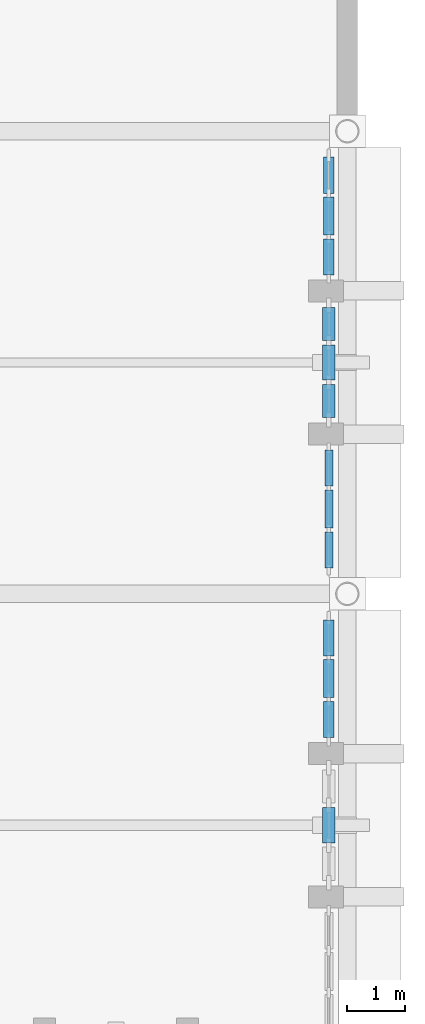
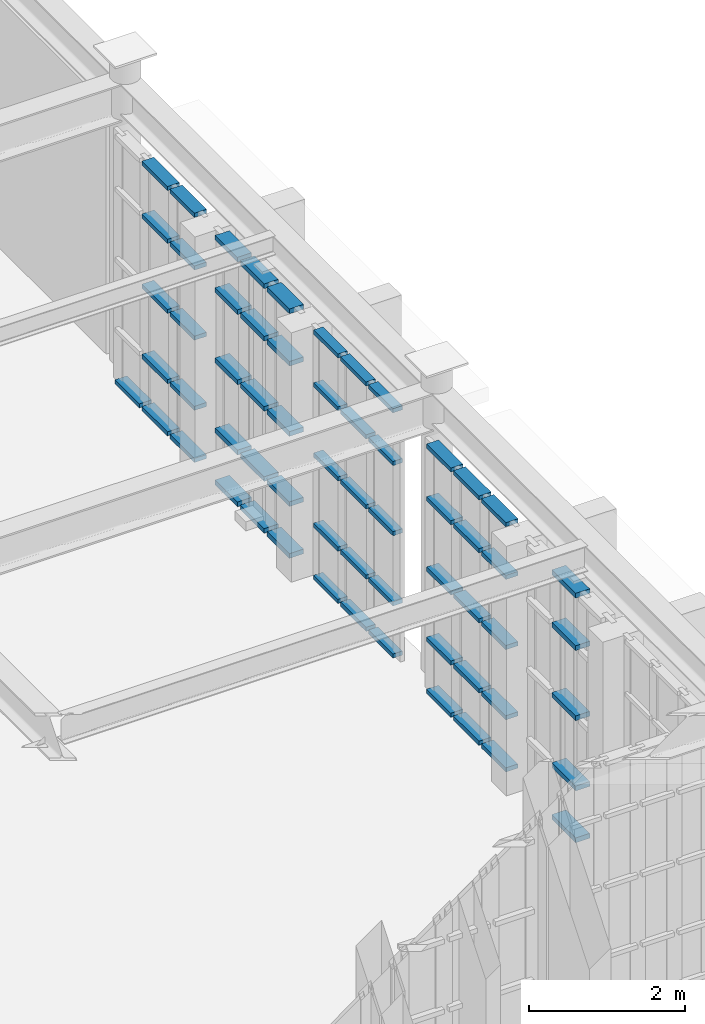
# One storey, part 78 of 155: 61 members, 5 elements without a shape of their own.
"""IFC4 building model written with IfcOpenShell, lengths in metres."""

from ifc_helpers import new_model, si_unit, direction, frame, origin, origin_2d, place, context, subcontext, project, spatial, rectangle, extrude, material, layer, layer_set, material_profile, profile_set, type_object, element, aggregate, save


model = new_model("IFC4")

# Units and contexts
model_context = context("Model", 3, precision=1e-05, world=origin(), true_north=direction((0.0, 1.0)))
body_context = subcontext(model_context, "Body", "Model", "MODEL_VIEW")
ifc_project = project(units=[si_unit("LENGTHUNIT", "METRE"), si_unit("AREAUNIT", "SQUARE_METRE"), si_unit("VOLUMEUNIT", "CUBIC_METRE"), si_unit("PLANEANGLEUNIT", "RADIAN"), si_unit("MASSUNIT", "GRAM", prefix="KILO")], contexts=[model_context])

# Site, building, storey
site_placement = place(None, origin())
site = spatial("IfcSite", under=ifc_project, at=site_placement, CompositionType="ELEMENT")
building_placement = place(site_placement, origin())
building = spatial("IfcBuilding", under=site, at=building_placement, Name="Tazarka Park Arena", CompositionType="ELEMENT")
storey_placement = place(building_placement, frame((0.0, 0.0, 5.39990234375)))
storey = spatial("IfcBuildingStorey", under=building, at=storey_placement, Name="L01", CompositionType="ELEMENT", Elevation=5.39990234375)

# Curtain wall, members
ifc_material_1 = material(Name="Aluminium and low-e glass", Category="aluminium")
ifc_layer_1 = layer(ifc_material_1, 0.179931640625, Name="Aluminium and low-e glass")
ifc_layer_set_1 = layer_set([ifc_layer_1], Name="Aluminium and low-e glass")
curtain_wall_type_1 = type_object("IfcCurtainWallType", Name="CW-09", PredefinedType="NOTDEFINED", material=ifc_layer_set_1)
curtain_wall_1_placement = place(storey_placement, origin())
curtain_wall_1 = element("IfcCurtainWall", 1, at=curtain_wall_1_placement, inside=storey, type_object=curtain_wall_type_1, Name="Curtain Wall CWA-L01-189", PredefinedType="NOTDEFINED")
ifc_material_2 = material(Name="Aluminium 6060-T66", Category="aluminium")
ifc_material_profile_1 = material_profile(ifc_material_2, rectangle(XDim=0.139892578125, YDim=0.06494140625, at=origin_2d()), Name="Aluminium 6060-T66")
ifc_profile_set_1 = profile_set([ifc_material_profile_1], Name="Aluminium 6060-T66")
member_type_1 = type_object("IfcMemberType", Name="CWT-01", PredefinedType="USERDEFINED", material=ifc_profile_set_1)
member_1_placement = place(storey_placement, frame((183.679931640625, 50.486083984375, 0.03271484375), z_axis=(0.0, -1.0, 0.0), x_axis=(1.0, 0.0, 0.0)))
member_1 = element("IfcMember", 2, at=member_1_placement, type_object=member_type_1, Name="CW-09 transom 1.1", ObjectType="TRANSOM", PredefinedType="USERDEFINED", context=body_context, shape_type="SweptSolid", body=[
    extrude(rectangle(XDim=0.139892578125, YDim=0.06494140625, at=origin_2d()), origin(), (0.0, 0.0, 1.0), 0.625),
])
member_2_placement = place(storey_placement, frame((183.679931640625, 50.486083984375, 0.85009765625), z_axis=(0.0, -1.0, 0.0), x_axis=(1.0, 0.0, 0.0)))
member_2 = element("IfcMember", 3, at=member_2_placement, type_object=member_type_1, Name="CW-09 transom 1.2", ObjectType="TRANSOM", PredefinedType="USERDEFINED", context=body_context, shape_type="SweptSolid", body=[
    extrude(rectangle(XDim=0.139892578125, YDim=0.06494140625, at=origin_2d()), origin(), (0.0, 0.0, 1.0), 0.625),
])
member_3_placement = place(storey_placement, frame((183.679931640625, 50.486083984375, 1.9501953125), z_axis=(0.0, -1.0, 0.0), x_axis=(1.0, 0.0, 0.0)))
member_3 = element("IfcMember", 4, at=member_3_placement, type_object=member_type_1, Name="CW-09 transom 1.3", ObjectType="TRANSOM", PredefinedType="USERDEFINED", context=body_context, shape_type="SweptSolid", body=[
    extrude(rectangle(XDim=0.139892578125, YDim=0.06494140625, at=origin_2d()), origin(), (0.0, 0.0, 1.0), 0.625),
])
member_4_placement = place(storey_placement, frame((183.679931640625, 50.486083984375, 3.050048828125), z_axis=(0.0, -1.0, 0.0), x_axis=(1.0, 0.0, 0.0)))
member_4 = element("IfcMember", 5, at=member_4_placement, type_object=member_type_1, Name="CW-09 transom 1.4", ObjectType="TRANSOM", PredefinedType="USERDEFINED", context=body_context, shape_type="SweptSolid", body=[
    extrude(rectangle(XDim=0.139892578125, YDim=0.06494140625, at=origin_2d()), origin(), (0.0, 0.0, 1.0), 0.625),
])
member_5_placement = place(storey_placement, frame((183.679931640625, 50.486083984375, 3.877685546875), z_axis=(0.0, -1.0, 0.0), x_axis=(1.0, 0.0, 0.0)))
member_5 = element("IfcMember", 6, at=member_5_placement, type_object=member_type_1, Name="CW-09 transom 1.5", ObjectType="TRANSOM", PredefinedType="USERDEFINED", context=body_context, shape_type="SweptSolid", body=[
    extrude(rectangle(XDim=0.139892578125, YDim=0.06494140625, at=origin_2d()), origin(), (0.0, 0.0, 1.0), 0.625),
])
member_6_placement = place(storey_placement, frame((183.679931640625, 49.7958984375, 0.03271484375), z_axis=(0.0, -1.0, 0.0), x_axis=(1.0, 0.0, 0.0)))
member_6 = element("IfcMember", 7, at=member_6_placement, type_object=member_type_1, Name="CW-09 transom 2.1", ObjectType="TRANSOM", PredefinedType="USERDEFINED", context=body_context, shape_type="SweptSolid", body=[
    extrude(rectangle(XDim=0.139892578125, YDim=0.06494140625, at=origin_2d()), origin(), (0.0, 0.0, 1.0), 0.657470703125),
])
member_7_placement = place(storey_placement, frame((183.679931640625, 49.7958984375, 0.85009765625), z_axis=(0.0, -1.0, 0.0), x_axis=(1.0, 0.0, 0.0)))
member_7 = element("IfcMember", 8, at=member_7_placement, type_object=member_type_1, Name="CW-09 transom 2.2", ObjectType="TRANSOM", PredefinedType="USERDEFINED", context=body_context, shape_type="SweptSolid", body=[
    extrude(rectangle(XDim=0.139892578125, YDim=0.06494140625, at=origin_2d()), origin(), (0.0, 0.0, 1.0), 0.657470703125),
])
member_8_placement = place(storey_placement, frame((183.679931640625, 49.7958984375, 1.9501953125), z_axis=(0.0, -1.0, 0.0), x_axis=(1.0, 0.0, 0.0)))
member_8 = element("IfcMember", 9, at=member_8_placement, type_object=member_type_1, Name="CW-09 transom 2.3", ObjectType="TRANSOM", PredefinedType="USERDEFINED", context=body_context, shape_type="SweptSolid", body=[
    extrude(rectangle(XDim=0.139892578125, YDim=0.06494140625, at=origin_2d()), origin(), (0.0, 0.0, 1.0), 0.657470703125),
])
member_9_placement = place(storey_placement, frame((183.679931640625, 49.7958984375, 3.050048828125), z_axis=(0.0, -1.0, 0.0), x_axis=(1.0, 0.0, 0.0)))
member_9 = element("IfcMember", 10, at=member_9_placement, type_object=member_type_1, Name="CW-09 transom 2.4", ObjectType="TRANSOM", PredefinedType="USERDEFINED", context=body_context, shape_type="SweptSolid", body=[
    extrude(rectangle(XDim=0.139892578125, YDim=0.06494140625, at=origin_2d()), origin(), (0.0, 0.0, 1.0), 0.657470703125),
])
member_10_placement = place(storey_placement, frame((183.679931640625, 49.7958984375, 3.877685546875), z_axis=(0.0, -1.0, 0.0), x_axis=(1.0, 0.0, 0.0)))
member_10 = element("IfcMember", 11, at=member_10_placement, type_object=member_type_1, Name="CW-09 transom 2.5", ObjectType="TRANSOM", PredefinedType="USERDEFINED", context=body_context, shape_type="SweptSolid", body=[
    extrude(rectangle(XDim=0.139892578125, YDim=0.06494140625, at=origin_2d()), origin(), (0.0, 0.0, 1.0), 0.657470703125),
])
member_11_placement = place(storey_placement, frame((183.679931640625, 49.0732421875, 0.03271484375), z_axis=(0.0, -1.0, 0.0), x_axis=(1.0, 0.0, 0.0)))
member_11 = element("IfcMember", 12, at=member_11_placement, type_object=member_type_1, Name="CW-09 transom 3.1", ObjectType="TRANSOM", PredefinedType="USERDEFINED", context=body_context, shape_type="SweptSolid", body=[
    extrude(rectangle(XDim=0.139892578125, YDim=0.06494140625, at=origin_2d()), origin(), (0.0, 0.0, 1.0), 0.625),
])
member_12_placement = place(storey_placement, frame((183.679931640625, 49.0732421875, 0.85009765625), z_axis=(0.0, -1.0, 0.0), x_axis=(1.0, 0.0, 0.0)))
member_12 = element("IfcMember", 13, at=member_12_placement, type_object=member_type_1, Name="CW-09 transom 3.2", ObjectType="TRANSOM", PredefinedType="USERDEFINED", context=body_context, shape_type="SweptSolid", body=[
    extrude(rectangle(XDim=0.139892578125, YDim=0.06494140625, at=origin_2d()), origin(), (0.0, 0.0, 1.0), 0.625),
])
member_13_placement = place(storey_placement, frame((183.679931640625, 49.0732421875, 1.9501953125), z_axis=(0.0, -1.0, 0.0), x_axis=(1.0, 0.0, 0.0)))
member_13 = element("IfcMember", 14, at=member_13_placement, type_object=member_type_1, Name="CW-09 transom 3.3", ObjectType="TRANSOM", PredefinedType="USERDEFINED", context=body_context, shape_type="SweptSolid", body=[
    extrude(rectangle(XDim=0.139892578125, YDim=0.06494140625, at=origin_2d()), origin(), (0.0, 0.0, 1.0), 0.625),
])
member_14_placement = place(storey_placement, frame((183.679931640625, 49.0732421875, 3.050048828125), z_axis=(0.0, -1.0, 0.0), x_axis=(1.0, 0.0, 0.0)))
member_14 = element("IfcMember", 15, at=member_14_placement, type_object=member_type_1, Name="CW-09 transom 3.4", ObjectType="TRANSOM", PredefinedType="USERDEFINED", context=body_context, shape_type="SweptSolid", body=[
    extrude(rectangle(XDim=0.139892578125, YDim=0.06494140625, at=origin_2d()), origin(), (0.0, 0.0, 1.0), 0.625),
])
member_15_placement = place(storey_placement, frame((183.679931640625, 49.0732421875, 3.877685546875), z_axis=(0.0, -1.0, 0.0), x_axis=(1.0, 0.0, 0.0)))
member_15 = element("IfcMember", 16, at=member_15_placement, type_object=member_type_1, Name="CW-09 transom 3.5", ObjectType="TRANSOM", PredefinedType="USERDEFINED", context=body_context, shape_type="SweptSolid", body=[
    extrude(rectangle(XDim=0.139892578125, YDim=0.06494140625, at=origin_2d()), origin(), (0.0, 0.0, 1.0), 0.625),
])
aggregate(curtain_wall_1, [member_1, member_2, member_3, member_4, member_5, member_6, member_7, member_8, member_9, member_10, member_11, member_12, member_13, member_14, member_15])

ifc_material_3 = material(Name="Aluminium and low-e glass", Category="aluminium")
ifc_layer_2 = layer(ifc_material_3, 0.179931640625, Name="Aluminium and low-e glass")
ifc_layer_set_2 = layer_set([ifc_layer_2], Name="Aluminium and low-e glass")
curtain_wall_type_2 = type_object("IfcCurtainWallType", Name="CW-04", PredefinedType="NOTDEFINED", material=ifc_layer_set_2)
curtain_wall_2_placement = place(storey_placement, origin())
curtain_wall_2 = element("IfcCurtainWall", 17, at=curtain_wall_2_placement, inside=storey, type_object=curtain_wall_type_2, Name="Curtain Wall CWA-L01-184", PredefinedType="NOTDEFINED")
ifc_material_4 = material(Name="Aluminium 6060-T66", Category="aluminium")
ifc_material_profile_2 = material_profile(ifc_material_4, rectangle(XDim=0.179931640625, YDim=0.06494140625, at=origin_2d()), Name="Aluminium 6060-T66")
ifc_profile_set_2 = profile_set([ifc_material_profile_2], Name="Aluminium 6060-T66")
member_type_2 = type_object("IfcMemberType", Name="CWT-02", PredefinedType="USERDEFINED", material=ifc_profile_set_2)
member_16_placement = place(storey_placement, frame((183.679931640625, 47.5517578125, 0.03271484375), z_axis=(0.0, -1.0, 0.0), x_axis=(1.0, 0.0, 0.0)))
member_16 = element("IfcMember", 18, at=member_16_placement, type_object=member_type_2, Name="CW-04 transom 1.1", ObjectType="TRANSOM", PredefinedType="USERDEFINED", context=body_context, shape_type="SweptSolid", body=[
    extrude(rectangle(XDim=0.179931640625, YDim=0.06494140625, at=origin_2d()), origin(), (0.0, 0.0, 1.0), 0.625),
])
member_17_placement = place(storey_placement, frame((183.679931640625, 47.5517578125, 0.85009765625), z_axis=(0.0, -1.0, 0.0), x_axis=(1.0, 0.0, 0.0)))
member_17 = element("IfcMember", 19, at=member_17_placement, type_object=member_type_2, Name="CW-04 transom 1.2", ObjectType="TRANSOM", PredefinedType="USERDEFINED", context=body_context, shape_type="SweptSolid", body=[
    extrude(rectangle(XDim=0.179931640625, YDim=0.06494140625, at=origin_2d()), origin(), (0.0, 0.0, 1.0), 0.625),
])
member_18_placement = place(storey_placement, frame((183.679931640625, 47.5517578125, 1.9501953125), z_axis=(0.0, -1.0, 0.0), x_axis=(1.0, 0.0, 0.0)))
member_18 = element("IfcMember", 20, at=member_18_placement, type_object=member_type_2, Name="CW-04 transom 1.3", ObjectType="TRANSOM", PredefinedType="USERDEFINED", context=body_context, shape_type="SweptSolid", body=[
    extrude(rectangle(XDim=0.179931640625, YDim=0.06494140625, at=origin_2d()), origin(), (0.0, 0.0, 1.0), 0.625),
])
member_19_placement = place(storey_placement, frame((183.679931640625, 47.5517578125, 3.050048828125), z_axis=(0.0, -1.0, 0.0), x_axis=(1.0, 0.0, 0.0)))
member_19 = element("IfcMember", 21, at=member_19_placement, type_object=member_type_2, Name="CW-04 transom 1.4", ObjectType="TRANSOM", PredefinedType="USERDEFINED", context=body_context, shape_type="SweptSolid", body=[
    extrude(rectangle(XDim=0.179931640625, YDim=0.06494140625, at=origin_2d()), origin(), (0.0, 0.0, 1.0), 0.625),
])
member_20_placement = place(storey_placement, frame((183.679931640625, 47.5517578125, 3.877685546875), z_axis=(0.0, -1.0, 0.0), x_axis=(1.0, 0.0, 0.0)))
member_20 = element("IfcMember", 22, at=member_20_placement, type_object=member_type_2, Name="CW-04 transom 1.5", ObjectType="TRANSOM", PredefinedType="USERDEFINED", context=body_context, shape_type="SweptSolid", body=[
    extrude(rectangle(XDim=0.179931640625, YDim=0.06494140625, at=origin_2d()), origin(), (0.0, 0.0, 1.0), 0.625),
])
member_21_placement = place(storey_placement, frame((183.679931640625, 46.861572265625, 0.03271484375), z_axis=(0.0, -1.0, 0.0), x_axis=(1.0, 0.0, 0.0)))
member_21 = element("IfcMember", 23, at=member_21_placement, type_object=member_type_2, Name="CW-04 transom 2.1", ObjectType="TRANSOM", PredefinedType="USERDEFINED", context=body_context, shape_type="SweptSolid", body=[
    extrude(rectangle(XDim=0.179931640625, YDim=0.06494140625, at=origin_2d()), origin(), (0.0, 0.0, 1.0), 0.657470703125),
])
member_22_placement = place(storey_placement, frame((183.679931640625, 46.861572265625, 0.85009765625), z_axis=(0.0, -1.0, 0.0), x_axis=(1.0, 0.0, 0.0)))
member_22 = element("IfcMember", 24, at=member_22_placement, type_object=member_type_2, Name="CW-04 transom 2.2", ObjectType="TRANSOM", PredefinedType="USERDEFINED", context=body_context, shape_type="SweptSolid", body=[
    extrude(rectangle(XDim=0.179931640625, YDim=0.06494140625, at=origin_2d()), origin(), (0.0, 0.0, 1.0), 0.657470703125),
])
member_23_placement = place(storey_placement, frame((183.679931640625, 46.861572265625, 1.9501953125), z_axis=(0.0, -1.0, 0.0), x_axis=(1.0, 0.0, 0.0)))
member_23 = element("IfcMember", 25, at=member_23_placement, type_object=member_type_2, Name="CW-04 transom 2.3", ObjectType="TRANSOM", PredefinedType="USERDEFINED", context=body_context, shape_type="SweptSolid", body=[
    extrude(rectangle(XDim=0.179931640625, YDim=0.06494140625, at=origin_2d()), origin(), (0.0, 0.0, 1.0), 0.657470703125),
])
member_24_placement = place(storey_placement, frame((183.679931640625, 46.861572265625, 3.050048828125), z_axis=(0.0, -1.0, 0.0), x_axis=(1.0, 0.0, 0.0)))
member_24 = element("IfcMember", 26, at=member_24_placement, type_object=member_type_2, Name="CW-04 transom 2.4", ObjectType="TRANSOM", PredefinedType="USERDEFINED", context=body_context, shape_type="SweptSolid", body=[
    extrude(rectangle(XDim=0.179931640625, YDim=0.06494140625, at=origin_2d()), origin(), (0.0, 0.0, 1.0), 0.657470703125),
])
member_25_placement = place(storey_placement, frame((183.679931640625, 46.861572265625, 3.877685546875), z_axis=(0.0, -1.0, 0.0), x_axis=(1.0, 0.0, 0.0)))
member_25 = element("IfcMember", 27, at=member_25_placement, type_object=member_type_2, Name="CW-04 transom 2.5", ObjectType="TRANSOM", PredefinedType="USERDEFINED", context=body_context, shape_type="SweptSolid", body=[
    extrude(rectangle(XDim=0.179931640625, YDim=0.06494140625, at=origin_2d()), origin(), (0.0, 0.0, 1.0), 0.657470703125),
])
member_26_placement = place(storey_placement, frame((183.679931640625, 46.138916015625, 0.03271484375), z_axis=(0.0, -1.0, 0.0), x_axis=(1.0, 0.0, 0.0)))
member_26 = element("IfcMember", 28, at=member_26_placement, type_object=member_type_2, Name="CW-04 transom 3.1", ObjectType="TRANSOM", PredefinedType="USERDEFINED", context=body_context, shape_type="SweptSolid", body=[
    extrude(rectangle(XDim=0.179931640625, YDim=0.06494140625, at=origin_2d()), origin(), (0.0, 0.0, 1.0), 0.625),
])
member_27_placement = place(storey_placement, frame((183.679931640625, 46.138916015625, 0.85009765625), z_axis=(0.0, -1.0, 0.0), x_axis=(1.0, 0.0, 0.0)))
member_27 = element("IfcMember", 29, at=member_27_placement, type_object=member_type_2, Name="CW-04 transom 3.2", ObjectType="TRANSOM", PredefinedType="USERDEFINED", context=body_context, shape_type="SweptSolid", body=[
    extrude(rectangle(XDim=0.179931640625, YDim=0.06494140625, at=origin_2d()), origin(), (0.0, 0.0, 1.0), 0.625),
])
member_28_placement = place(storey_placement, frame((183.679931640625, 46.138916015625, 1.9501953125), z_axis=(0.0, -1.0, 0.0), x_axis=(1.0, 0.0, 0.0)))
member_28 = element("IfcMember", 30, at=member_28_placement, type_object=member_type_2, Name="CW-04 transom 3.3", ObjectType="TRANSOM", PredefinedType="USERDEFINED", context=body_context, shape_type="SweptSolid", body=[
    extrude(rectangle(XDim=0.179931640625, YDim=0.06494140625, at=origin_2d()), origin(), (0.0, 0.0, 1.0), 0.625),
])
member_29_placement = place(storey_placement, frame((183.679931640625, 46.138916015625, 3.050048828125), z_axis=(0.0, -1.0, 0.0), x_axis=(1.0, 0.0, 0.0)))
member_29 = element("IfcMember", 31, at=member_29_placement, type_object=member_type_2, Name="CW-04 transom 3.4", ObjectType="TRANSOM", PredefinedType="USERDEFINED", context=body_context, shape_type="SweptSolid", body=[
    extrude(rectangle(XDim=0.179931640625, YDim=0.06494140625, at=origin_2d()), origin(), (0.0, 0.0, 1.0), 0.625),
])
member_30_placement = place(storey_placement, frame((183.679931640625, 46.138916015625, 3.877685546875), z_axis=(0.0, -1.0, 0.0), x_axis=(1.0, 0.0, 0.0)))
member_30 = element("IfcMember", 32, at=member_30_placement, type_object=member_type_2, Name="CW-04 transom 3.5", ObjectType="TRANSOM", PredefinedType="USERDEFINED", context=body_context, shape_type="SweptSolid", body=[
    extrude(rectangle(XDim=0.179931640625, YDim=0.06494140625, at=origin_2d()), origin(), (0.0, 0.0, 1.0), 0.625),
])
aggregate(curtain_wall_2, [member_16, member_17, member_18, member_19, member_20, member_21, member_22, member_23, member_24, member_25, member_26, member_27, member_28, member_29, member_30])

ifc_material_5 = material(Name="Aluminium and low-e glass", Category="aluminium")
ifc_layer_3 = layer(ifc_material_5, 0.179931640625, Name="Aluminium and low-e glass")
ifc_layer_set_3 = layer_set([ifc_layer_3], Name="Aluminium and low-e glass")
curtain_wall_type_3 = type_object("IfcCurtainWallType", Name="CW-07", PredefinedType="NOTDEFINED", material=ifc_layer_set_3)
curtain_wall_3_placement = place(storey_placement, origin())
curtain_wall_3 = element("IfcCurtainWall", 33, at=curtain_wall_3_placement, inside=storey, type_object=curtain_wall_type_3, Name="Curtain Wall CWA-L01-187", PredefinedType="NOTDEFINED")
member_31_placement = place(storey_placement, frame((183.679931640625, 55.5517578125, 0.03271484375), z_axis=(0.0, -1.0, 0.0), x_axis=(1.0, 0.0, 0.0)))
member_31 = element("IfcMember", 34, at=member_31_placement, type_object=member_type_2, Name="CW-07 transom 1.1", ObjectType="TRANSOM", PredefinedType="USERDEFINED", context=body_context, shape_type="SweptSolid", body=[
    extrude(rectangle(XDim=0.179931640625, YDim=0.06494140625, at=origin_2d()), origin(), (0.0, 0.0, 1.0), 0.625),
])
member_32_placement = place(storey_placement, frame((183.679931640625, 54.861572265625, 0.03271484375), z_axis=(0.0, -1.0, 0.0), x_axis=(1.0, 0.0, 0.0)))
member_32 = element("IfcMember", 35, at=member_32_placement, type_object=member_type_2, Name="CW-07 transom 2.1", ObjectType="TRANSOM", PredefinedType="USERDEFINED", context=body_context, shape_type="SweptSolid", body=[
    extrude(rectangle(XDim=0.179931640625, YDim=0.06494140625, at=origin_2d()), origin(), (0.0, 0.0, 1.0), 0.657470703125),
])
member_33_placement = place(storey_placement, frame((183.679931640625, 54.861572265625, 0.85009765625), z_axis=(0.0, -1.0, 0.0), x_axis=(1.0, 0.0, 0.0)))
member_33 = element("IfcMember", 36, at=member_33_placement, type_object=member_type_2, Name="CW-07 transom 2.2", ObjectType="TRANSOM", PredefinedType="USERDEFINED", context=body_context, shape_type="SweptSolid", body=[
    extrude(rectangle(XDim=0.179931640625, YDim=0.06494140625, at=origin_2d()), origin(), (0.0, 0.0, 1.0), 0.657470703125),
])
member_34_placement = place(storey_placement, frame((183.679931640625, 54.861572265625, 1.9501953125), z_axis=(0.0, -1.0, 0.0), x_axis=(1.0, 0.0, 0.0)))
member_34 = element("IfcMember", 37, at=member_34_placement, type_object=member_type_2, Name="CW-07 transom 2.3", ObjectType="TRANSOM", PredefinedType="USERDEFINED", context=body_context, shape_type="SweptSolid", body=[
    extrude(rectangle(XDim=0.179931640625, YDim=0.06494140625, at=origin_2d()), origin(), (0.0, 0.0, 1.0), 0.657470703125),
])
member_35_placement = place(storey_placement, frame((183.679931640625, 54.861572265625, 3.050048828125), z_axis=(0.0, -1.0, 0.0), x_axis=(1.0, 0.0, 0.0)))
member_35 = element("IfcMember", 38, at=member_35_placement, type_object=member_type_2, Name="CW-07 transom 2.4", ObjectType="TRANSOM", PredefinedType="USERDEFINED", context=body_context, shape_type="SweptSolid", body=[
    extrude(rectangle(XDim=0.179931640625, YDim=0.06494140625, at=origin_2d()), origin(), (0.0, 0.0, 1.0), 0.657470703125),
])
member_36_placement = place(storey_placement, frame((183.679931640625, 54.861572265625, 3.877685546875), z_axis=(0.0, -1.0, 0.0), x_axis=(1.0, 0.0, 0.0)))
member_36 = element("IfcMember", 39, at=member_36_placement, type_object=member_type_2, Name="CW-07 transom 2.5", ObjectType="TRANSOM", PredefinedType="USERDEFINED", context=body_context, shape_type="SweptSolid", body=[
    extrude(rectangle(XDim=0.179931640625, YDim=0.06494140625, at=origin_2d()), origin(), (0.0, 0.0, 1.0), 0.657470703125),
])
member_37_placement = place(storey_placement, frame((183.679931640625, 54.138916015625, 0.03271484375), z_axis=(0.0, -1.0, 0.0), x_axis=(1.0, 0.0, 0.0)))
member_37 = element("IfcMember", 40, at=member_37_placement, type_object=member_type_2, Name="CW-07 transom 3.1", ObjectType="TRANSOM", PredefinedType="USERDEFINED", context=body_context, shape_type="SweptSolid", body=[
    extrude(rectangle(XDim=0.179931640625, YDim=0.06494140625, at=origin_2d()), origin(), (0.0, 0.0, 1.0), 0.625),
])
member_38_placement = place(storey_placement, frame((183.679931640625, 54.138916015625, 0.85009765625), z_axis=(0.0, -1.0, 0.0), x_axis=(1.0, 0.0, 0.0)))
member_38 = element("IfcMember", 41, at=member_38_placement, type_object=member_type_2, Name="CW-07 transom 3.2", ObjectType="TRANSOM", PredefinedType="USERDEFINED", context=body_context, shape_type="SweptSolid", body=[
    extrude(rectangle(XDim=0.179931640625, YDim=0.06494140625, at=origin_2d()), origin(), (0.0, 0.0, 1.0), 0.625),
])
member_39_placement = place(storey_placement, frame((183.679931640625, 54.138916015625, 1.9501953125), z_axis=(0.0, -1.0, 0.0), x_axis=(1.0, 0.0, 0.0)))
member_39 = element("IfcMember", 42, at=member_39_placement, type_object=member_type_2, Name="CW-07 transom 3.3", ObjectType="TRANSOM", PredefinedType="USERDEFINED", context=body_context, shape_type="SweptSolid", body=[
    extrude(rectangle(XDim=0.179931640625, YDim=0.06494140625, at=origin_2d()), origin(), (0.0, 0.0, 1.0), 0.625),
])
member_40_placement = place(storey_placement, frame((183.679931640625, 54.138916015625, 3.050048828125), z_axis=(0.0, -1.0, 0.0), x_axis=(1.0, 0.0, 0.0)))
member_40 = element("IfcMember", 43, at=member_40_placement, type_object=member_type_2, Name="CW-07 transom 3.4", ObjectType="TRANSOM", PredefinedType="USERDEFINED", context=body_context, shape_type="SweptSolid", body=[
    extrude(rectangle(XDim=0.179931640625, YDim=0.06494140625, at=origin_2d()), origin(), (0.0, 0.0, 1.0), 0.625),
])
member_41_placement = place(storey_placement, frame((183.679931640625, 54.138916015625, 3.877685546875), z_axis=(0.0, -1.0, 0.0), x_axis=(1.0, 0.0, 0.0)))
member_41 = element("IfcMember", 44, at=member_41_placement, type_object=member_type_2, Name="CW-07 transom 3.5", ObjectType="TRANSOM", PredefinedType="USERDEFINED", context=body_context, shape_type="SweptSolid", body=[
    extrude(rectangle(XDim=0.179931640625, YDim=0.06494140625, at=origin_2d()), origin(), (0.0, 0.0, 1.0), 0.625),
])
aggregate(curtain_wall_3, [member_31, member_32, member_33, member_34, member_35, member_36, member_37, member_38, member_39, member_40, member_41])

ifc_material_6 = material(Name="Aluminium and low-e glass", Category="aluminium")
ifc_layer_4 = layer(ifc_material_6, 0.179931640625, Name="Aluminium and low-e glass")
ifc_layer_set_4 = layer_set([ifc_layer_4], Name="Aluminium and low-e glass")
curtain_wall_type_4 = type_object("IfcCurtainWallType", Name="CW-05", PredefinedType="NOTDEFINED", material=ifc_layer_set_4)
curtain_wall_4_placement = place(storey_placement, origin())
curtain_wall_4 = element("IfcCurtainWall", 45, at=curtain_wall_4_placement, inside=storey, type_object=curtain_wall_type_4, Name="Curtain Wall CWA-L01-185", PredefinedType="NOTDEFINED")
ifc_material_7 = material(Name="Aluminium 6060-T66", Category="aluminium")
ifc_material_profile_3 = material_profile(ifc_material_7, rectangle(XDim=0.2099609375, YDim=0.074951171875, at=origin_2d()), Name="Aluminium 6060-T66")
ifc_profile_set_3 = profile_set([ifc_material_profile_3], Name="Aluminium 6060-T66")
member_type_3 = type_object("IfcMemberType", Name="CWT-03", PredefinedType="USERDEFINED", material=ifc_profile_set_3)
member_42_placement = place(storey_placement, frame((183.679931640625, 44.305419921875, 0.03759765625), z_axis=(0.0, -1.0, 0.0), x_axis=(1.0, 0.0, 0.0)))
member_42 = element("IfcMember", 46, at=member_42_placement, type_object=member_type_3, Name="CW-05 transom 2.1", ObjectType="TRANSOM", PredefinedType="USERDEFINED", context=body_context, shape_type="SweptSolid", body=[
    extrude(rectangle(XDim=0.2099609375, YDim=0.074951171875, at=origin_2d()), origin(), (0.0, 0.0, 1.0), 0.61083984375),
])
member_43_placement = place(storey_placement, frame((183.679931640625, 44.305419921875, 0.85009765625), z_axis=(0.0, -1.0, 0.0), x_axis=(1.0, 0.0, 0.0)))
member_43 = element("IfcMember", 47, at=member_43_placement, type_object=member_type_3, Name="CW-05 transom 2.2", ObjectType="TRANSOM", PredefinedType="USERDEFINED", context=body_context, shape_type="SweptSolid", body=[
    extrude(rectangle(XDim=0.2099609375, YDim=0.074951171875, at=origin_2d()), origin(), (0.0, 0.0, 1.0), 0.61083984375),
])
member_44_placement = place(storey_placement, frame((183.679931640625, 44.305419921875, 1.9501953125), z_axis=(0.0, -1.0, 0.0), x_axis=(1.0, 0.0, 0.0)))
member_44 = element("IfcMember", 48, at=member_44_placement, type_object=member_type_3, Name="CW-05 transom 2.3", ObjectType="TRANSOM", PredefinedType="USERDEFINED", context=body_context, shape_type="SweptSolid", body=[
    extrude(rectangle(XDim=0.2099609375, YDim=0.074951171875, at=origin_2d()), origin(), (0.0, 0.0, 1.0), 0.61083984375),
])
member_45_placement = place(storey_placement, frame((183.679931640625, 44.305419921875, 3.050048828125), z_axis=(0.0, -1.0, 0.0), x_axis=(1.0, 0.0, 0.0)))
member_45 = element("IfcMember", 49, at=member_45_placement, type_object=member_type_3, Name="CW-05 transom 2.4", ObjectType="TRANSOM", PredefinedType="USERDEFINED", context=body_context, shape_type="SweptSolid", body=[
    extrude(rectangle(XDim=0.2099609375, YDim=0.074951171875, at=origin_2d()), origin(), (0.0, 0.0, 1.0), 0.61083984375),
])
member_46_placement = place(storey_placement, frame((183.679931640625, 44.305419921875, 3.87255859375), z_axis=(0.0, -1.0, 0.0), x_axis=(1.0, 0.0, 0.0)))
member_46 = element("IfcMember", 50, at=member_46_placement, type_object=member_type_3, Name="CW-05 transom 2.5", ObjectType="TRANSOM", PredefinedType="USERDEFINED", context=body_context, shape_type="SweptSolid", body=[
    extrude(rectangle(XDim=0.2099609375, YDim=0.074951171875, at=origin_2d()), origin(), (0.0, 0.0, 1.0), 0.61083984375),
])
aggregate(curtain_wall_4, [member_42, member_43, member_44, member_45, member_46])

ifc_material_8 = material(Name="Aluminium and low-e glass", Category="aluminium")
ifc_layer_5 = layer(ifc_material_8, 0.179931640625, Name="Aluminium and low-e glass")
ifc_layer_set_5 = layer_set([ifc_layer_5], Name="Aluminium and low-e glass")
curtain_wall_type_5 = type_object("IfcCurtainWallType", Name="CW-08", PredefinedType="NOTDEFINED", material=ifc_layer_set_5)
curtain_wall_5_placement = place(storey_placement, origin())
curtain_wall_5 = element("IfcCurtainWall", 51, at=curtain_wall_5_placement, inside=storey, type_object=curtain_wall_type_5, Name="Curtain Wall CWA-L01-188", PredefinedType="NOTDEFINED")
member_47_placement = place(storey_placement, frame((183.679931640625, 52.953857421875, 0.03759765625), z_axis=(0.0, -1.0, 0.0), x_axis=(1.0, 0.0, 0.0)))
member_47 = element("IfcMember", 52, at=member_47_placement, type_object=member_type_3, Name="CW-08 transom 1.1", ObjectType="TRANSOM", PredefinedType="USERDEFINED", context=body_context, shape_type="SweptSolid", body=[
    extrude(rectangle(XDim=0.2099609375, YDim=0.074951171875, at=origin_2d()), origin(), (0.0, 0.0, 1.0), 0.573486328125),
])
member_48_placement = place(storey_placement, frame((183.679931640625, 52.953857421875, 0.85009765625), z_axis=(0.0, -1.0, 0.0), x_axis=(1.0, 0.0, 0.0)))
member_48 = element("IfcMember", 53, at=member_48_placement, type_object=member_type_3, Name="CW-08 transom 1.2", ObjectType="TRANSOM", PredefinedType="USERDEFINED", context=body_context, shape_type="SweptSolid", body=[
    extrude(rectangle(XDim=0.2099609375, YDim=0.074951171875, at=origin_2d()), origin(), (0.0, 0.0, 1.0), 0.573486328125),
])
member_49_placement = place(storey_placement, frame((183.679931640625, 52.953857421875, 1.9501953125), z_axis=(0.0, -1.0, 0.0), x_axis=(1.0, 0.0, 0.0)))
member_49 = element("IfcMember", 54, at=member_49_placement, type_object=member_type_3, Name="CW-08 transom 1.3", ObjectType="TRANSOM", PredefinedType="USERDEFINED", context=body_context, shape_type="SweptSolid", body=[
    extrude(rectangle(XDim=0.2099609375, YDim=0.074951171875, at=origin_2d()), origin(), (0.0, 0.0, 1.0), 0.573486328125),
])
member_50_placement = place(storey_placement, frame((183.679931640625, 52.953857421875, 3.050048828125), z_axis=(0.0, -1.0, 0.0), x_axis=(1.0, 0.0, 0.0)))
member_50 = element("IfcMember", 55, at=member_50_placement, type_object=member_type_3, Name="CW-08 transom 1.4", ObjectType="TRANSOM", PredefinedType="USERDEFINED", context=body_context, shape_type="SweptSolid", body=[
    extrude(rectangle(XDim=0.2099609375, YDim=0.074951171875, at=origin_2d()), origin(), (0.0, 0.0, 1.0), 0.573486328125),
])
member_51_placement = place(storey_placement, frame((183.679931640625, 52.953857421875, 3.87255859375), z_axis=(0.0, -1.0, 0.0), x_axis=(1.0, 0.0, 0.0)))
member_51 = element("IfcMember", 56, at=member_51_placement, type_object=member_type_3, Name="CW-08 transom 1.5", ObjectType="TRANSOM", PredefinedType="USERDEFINED", context=body_context, shape_type="SweptSolid", body=[
    extrude(rectangle(XDim=0.2099609375, YDim=0.074951171875, at=origin_2d()), origin(), (0.0, 0.0, 1.0), 0.573486328125),
])
member_52_placement = place(storey_placement, frame((183.679931640625, 52.305419921875, 0.03759765625), z_axis=(0.0, -1.0, 0.0), x_axis=(1.0, 0.0, 0.0)))
member_52 = element("IfcMember", 57, at=member_52_placement, type_object=member_type_3, Name="CW-08 transom 2.1", ObjectType="TRANSOM", PredefinedType="USERDEFINED", context=body_context, shape_type="SweptSolid", body=[
    extrude(rectangle(XDim=0.2099609375, YDim=0.074951171875, at=origin_2d()), origin(), (0.0, 0.0, 1.0), 0.61083984375),
])
member_53_placement = place(storey_placement, frame((183.679931640625, 52.305419921875, 0.85009765625), z_axis=(0.0, -1.0, 0.0), x_axis=(1.0, 0.0, 0.0)))
member_53 = element("IfcMember", 58, at=member_53_placement, type_object=member_type_3, Name="CW-08 transom 2.2", ObjectType="TRANSOM", PredefinedType="USERDEFINED", context=body_context, shape_type="SweptSolid", body=[
    extrude(rectangle(XDim=0.2099609375, YDim=0.074951171875, at=origin_2d()), origin(), (0.0, 0.0, 1.0), 0.61083984375),
])
member_54_placement = place(storey_placement, frame((183.679931640625, 52.305419921875, 1.9501953125), z_axis=(0.0, -1.0, 0.0), x_axis=(1.0, 0.0, 0.0)))
member_54 = element("IfcMember", 59, at=member_54_placement, type_object=member_type_3, Name="CW-08 transom 2.3", ObjectType="TRANSOM", PredefinedType="USERDEFINED", context=body_context, shape_type="SweptSolid", body=[
    extrude(rectangle(XDim=0.2099609375, YDim=0.074951171875, at=origin_2d()), origin(), (0.0, 0.0, 1.0), 0.61083984375),
])
member_55_placement = place(storey_placement, frame((183.679931640625, 52.305419921875, 3.050048828125), z_axis=(0.0, -1.0, 0.0), x_axis=(1.0, 0.0, 0.0)))
member_55 = element("IfcMember", 60, at=member_55_placement, type_object=member_type_3, Name="CW-08 transom 2.4", ObjectType="TRANSOM", PredefinedType="USERDEFINED", context=body_context, shape_type="SweptSolid", body=[
    extrude(rectangle(XDim=0.2099609375, YDim=0.074951171875, at=origin_2d()), origin(), (0.0, 0.0, 1.0), 0.61083984375),
])
member_56_placement = place(storey_placement, frame((183.679931640625, 52.305419921875, 3.87255859375), z_axis=(0.0, -1.0, 0.0), x_axis=(1.0, 0.0, 0.0)))
member_56 = element("IfcMember", 61, at=member_56_placement, type_object=member_type_3, Name="CW-08 transom 2.5", ObjectType="TRANSOM", PredefinedType="USERDEFINED", context=body_context, shape_type="SweptSolid", body=[
    extrude(rectangle(XDim=0.2099609375, YDim=0.074951171875, at=origin_2d()), origin(), (0.0, 0.0, 1.0), 0.61083984375),
])
member_57_placement = place(storey_placement, frame((183.679931640625, 51.61962890625, 0.03759765625), z_axis=(0.0, -1.0, 0.0), x_axis=(1.0, 0.0, 0.0)))
member_57 = element("IfcMember", 62, at=member_57_placement, type_object=member_type_3, Name="CW-08 transom 3.1", ObjectType="TRANSOM", PredefinedType="USERDEFINED", context=body_context, shape_type="SweptSolid", body=[
    extrude(rectangle(XDim=0.2099609375, YDim=0.074951171875, at=origin_2d()), origin(), (0.0, 0.0, 1.0), 0.573486328125),
])
member_58_placement = place(storey_placement, frame((183.679931640625, 51.61962890625, 0.85009765625), z_axis=(0.0, -1.0, 0.0), x_axis=(1.0, 0.0, 0.0)))
member_58 = element("IfcMember", 63, at=member_58_placement, type_object=member_type_3, Name="CW-08 transom 3.2", ObjectType="TRANSOM", PredefinedType="USERDEFINED", context=body_context, shape_type="SweptSolid", body=[
    extrude(rectangle(XDim=0.2099609375, YDim=0.074951171875, at=origin_2d()), origin(), (0.0, 0.0, 1.0), 0.573486328125),
])
member_59_placement = place(storey_placement, frame((183.679931640625, 51.61962890625, 1.9501953125), z_axis=(0.0, -1.0, 0.0), x_axis=(1.0, 0.0, 0.0)))
member_59 = element("IfcMember", 64, at=member_59_placement, type_object=member_type_3, Name="CW-08 transom 3.3", ObjectType="TRANSOM", PredefinedType="USERDEFINED", context=body_context, shape_type="SweptSolid", body=[
    extrude(rectangle(XDim=0.2099609375, YDim=0.074951171875, at=origin_2d()), origin(), (0.0, 0.0, 1.0), 0.573486328125),
])
member_60_placement = place(storey_placement, frame((183.679931640625, 51.61962890625, 3.050048828125), z_axis=(0.0, -1.0, 0.0), x_axis=(1.0, 0.0, 0.0)))
member_60 = element("IfcMember", 65, at=member_60_placement, type_object=member_type_3, Name="CW-08 transom 3.4", ObjectType="TRANSOM", PredefinedType="USERDEFINED", context=body_context, shape_type="SweptSolid", body=[
    extrude(rectangle(XDim=0.2099609375, YDim=0.074951171875, at=origin_2d()), origin(), (0.0, 0.0, 1.0), 0.573486328125),
])
member_61_placement = place(storey_placement, frame((183.679931640625, 51.61962890625, 3.87255859375), z_axis=(0.0, -1.0, 0.0), x_axis=(1.0, 0.0, 0.0)))
member_61 = element("IfcMember", 66, at=member_61_placement, type_object=member_type_3, Name="CW-08 transom 3.5", ObjectType="TRANSOM", PredefinedType="USERDEFINED", context=body_context, shape_type="SweptSolid", body=[
    extrude(rectangle(XDim=0.2099609375, YDim=0.074951171875, at=origin_2d()), origin(), (0.0, 0.0, 1.0), 0.573486328125),
])
aggregate(curtain_wall_5, [member_47, member_48, member_49, member_50, member_51, member_52, member_53, member_54, member_55, member_56, member_57, member_58, member_59, member_60, member_61])

save(model, "model.ifc")
